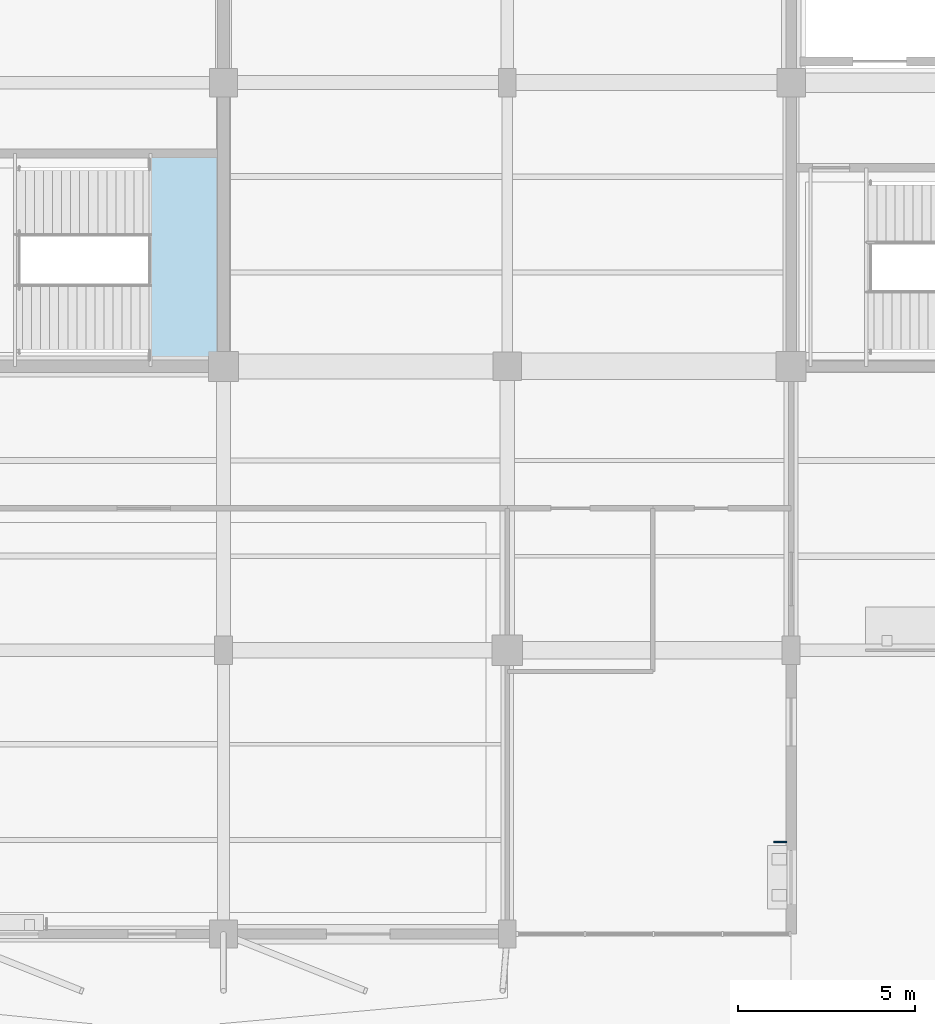
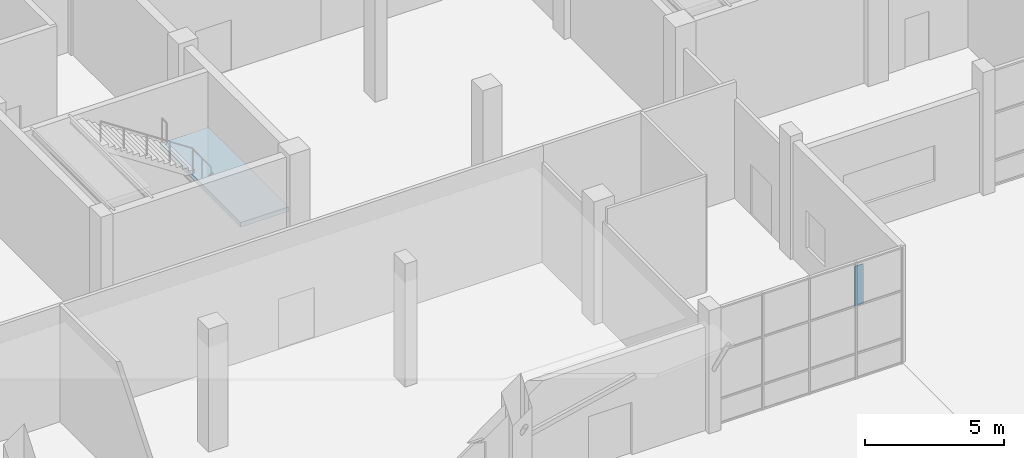
# One storey, part 76 of 123: 1 plate, 1 slab, 1 element without a shape of its own.
"""IFC4 building model written with IfcOpenShell, lengths in metres."""

from ifc_helpers import new_model, si_unit, direction, frame, origin, origin_2d, place, context, subcontext, project, spatial, polyline, rectangle, outline, extrude, material, layer, layer_set, type_object, element, aggregate, save


model = new_model("IFC4")

# Units and contexts
model_context = context("Model", 3, precision=1e-05, world=origin(), true_north=direction((0.0, 1.0)))
body_context = subcontext(model_context, "Body", "Model", "MODEL_VIEW")
ifc_project = project(units=[si_unit("LENGTHUNIT", "METRE"), si_unit("AREAUNIT", "SQUARE_METRE"), si_unit("VOLUMEUNIT", "CUBIC_METRE"), si_unit("PLANEANGLEUNIT", "RADIAN"), si_unit("MASSUNIT", "GRAM", prefix="KILO")], contexts=[model_context])

# Site, building, storey
site_placement = place(None, origin())
site = spatial("IfcSite", under=ifc_project, at=site_placement, CompositionType="ELEMENT")
building_placement = place(site_placement, origin())
building = spatial("IfcBuilding", under=site, at=building_placement, Name="Tenunan Teduh Sports Hall", CompositionType="ELEMENT")
storey_placement = place(building_placement, origin())
storey = spatial("IfcBuildingStorey", under=building, at=storey_placement, Name="L00", CompositionType="ELEMENT", Elevation=0.0)

# Plate
ifc_material_1 = material(Name="Anodised aluminium", Category="aluminium")
ifc_layer_1 = layer(ifc_material_1, 1.89990234375)
ifc_layer_set_1 = layer_set([ifc_layer_1], Name="Anodised aluminium")
plate_type = type_object("IfcPlateType", Name="PLT-FIN-1", PredefinedType="SHEET", material=ifc_layer_set_1)
plate_placement = place(storey_placement, frame((53.695068359375, 80.590087890625, 1.080078125), z_axis=(0.0, 0.0, 1.0), x_axis=(0.0, 1.0, 0.0)))
element("IfcPlate", 1, at=plate_placement, inside=storey, type_object=plate_type, Name="PLT-FIN-L00-013", PredefinedType="SHEET", context=body_context, shape_type="SweptSolid", body=[
    extrude(rectangle(XDim=0.0400390625, YDim=0.360107421875, at=origin_2d()), origin(), (0.0, 0.0, 1.0), 1.739990234375),
])

# Stair, slab
ifc_material_2 = material(Name="Precast concrete C40/50", Category="concrete")
stair_type = type_object("IfcStairType", Name="STR-CORE-54", PredefinedType="HALF_TURN_STAIR", material=ifc_material_2)
stair_placement = place(storey_placement, origin())
stair = element("IfcStair", 2, at=stair_placement, inside=storey, type_object=stair_type, Name="STR-W2-L00", PredefinedType="HALF_TURN_STAIR")
ifc_material_3 = material(Name="Precast concrete C40/50", Category="concrete")
ifc_layer_2 = layer(ifc_material_3, 0.199951171875)
ifc_layer_set_2 = layer_set([ifc_layer_2], Name="Precast concrete C40/50")
slab_type = type_object("IfcSlabType", Name="SLB-LND-200", PredefinedType="LANDING", material=ifc_layer_set_2)
slab_placement = place(storey_placement, frame((0.0, 0.0, 2.5)))
slab = element("IfcSlab", 3, at=slab_placement, type_object=slab_type, Name="ST-07 landing 1", PredefinedType="LANDING", context=body_context, shape_type="SweptSolid", body=[
    extrude(outline(polyline([(35.864990234375, 94.139892578125), (37.860107421875, 94.139892578125), (37.860107421875, 99.89990234375), (35.864990234375, 99.89990234375), (35.864990234375, 94.139892578125)])), origin(), (0.0, 0.0, 1.0), 0.199951171875),
])
aggregate(stair, [slab])

save(model, "model.ifc")
